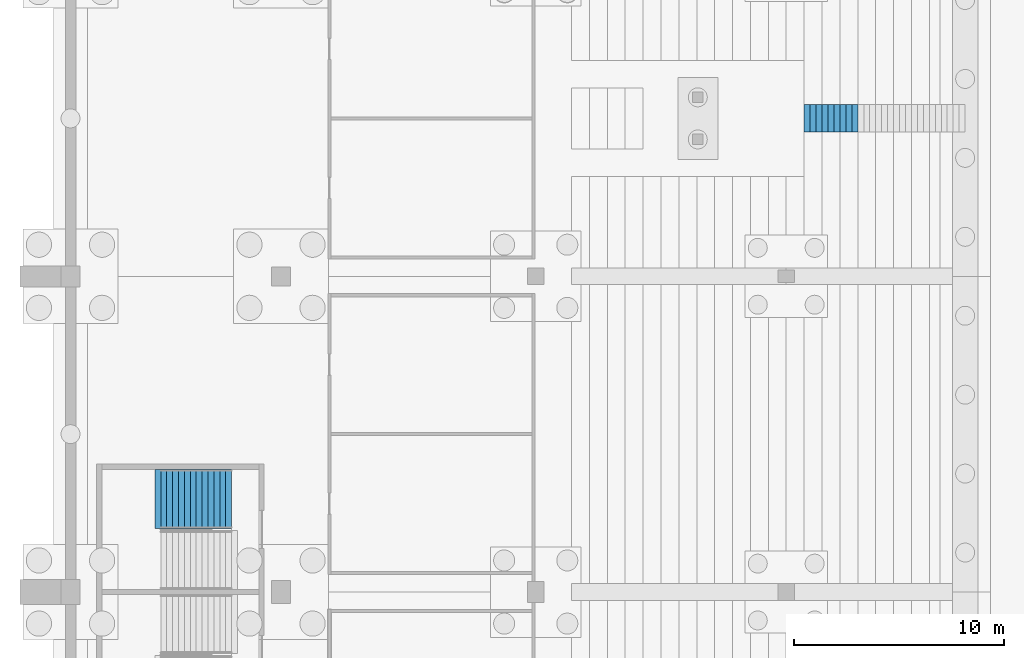
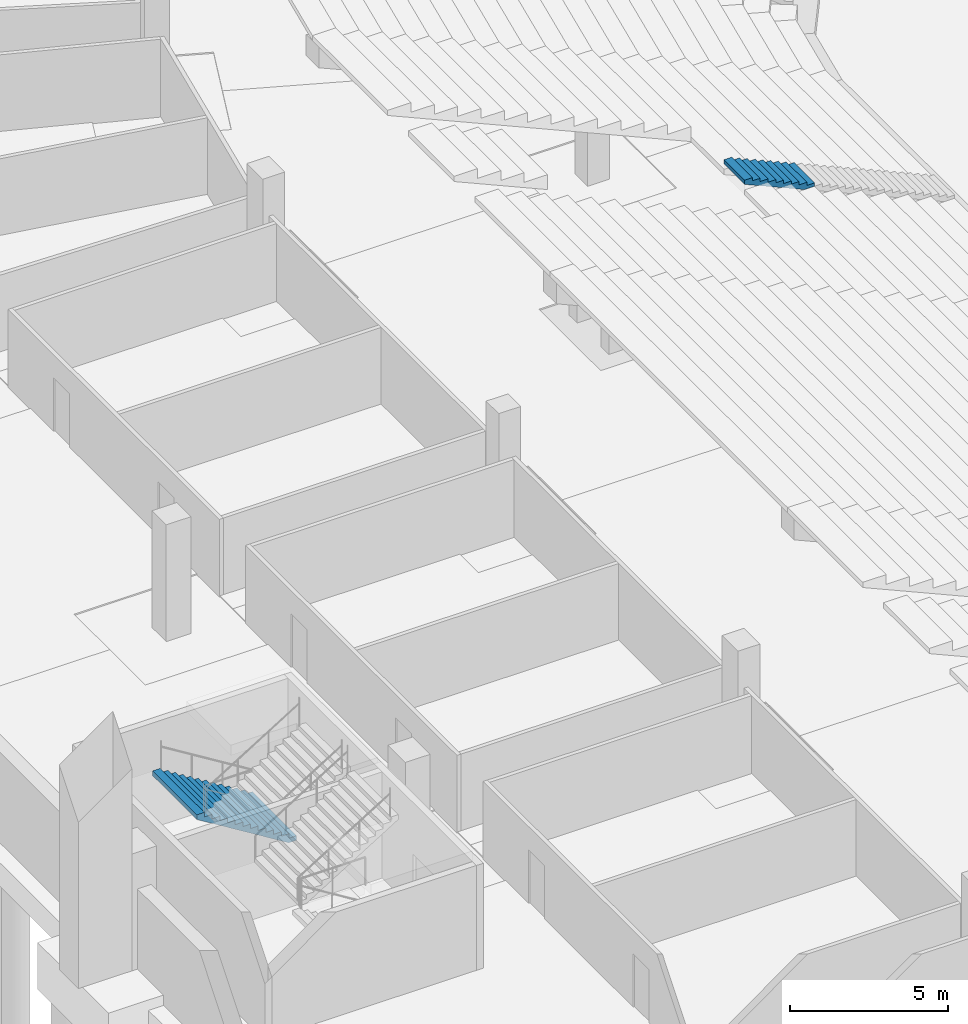
# One storey, part 93 of 115: 2 stair flights, 2 elements without a shape of their own.
"""IFC4 building model written with IfcOpenShell, lengths in metres."""

from ifc_helpers import new_model, si_unit, direction, frame, origin, place, context, subcontext, project, spatial, faceted_brep, material, type_object, element, aggregate, save


model = new_model("IFC4")

# Units and contexts
model_context = context("Model", 3, precision=1e-05, world=origin(), true_north=direction((0.0, 1.0)))
body_context = subcontext(model_context, "Body", "Model", "MODEL_VIEW")
ifc_project = project(units=[si_unit("LENGTHUNIT", "METRE"), si_unit("AREAUNIT", "SQUARE_METRE"), si_unit("VOLUMEUNIT", "CUBIC_METRE"), si_unit("PLANEANGLEUNIT", "RADIAN"), si_unit("MASSUNIT", "GRAM", prefix="KILO")], contexts=[model_context])

# Site, building, storey
site_placement = place(None, origin())
site = spatial("IfcSite", under=ifc_project, at=site_placement, CompositionType="ELEMENT")
building_placement = place(site_placement, origin())
building = spatial("IfcBuilding", under=site, at=building_placement, Name="Ogive Plaza Stadium", CompositionType="ELEMENT")
storey_placement = place(building_placement, frame((0.0, 0.0, -4.5)))
storey = spatial("IfcBuildingStorey", under=building, at=storey_placement, Name="B1", CompositionType="ELEMENT", Elevation=-4.5)

# Stair, stair flight
ifc_material_1 = material(Name="Concrete C40/50", Category="concrete")
stair_type_1 = type_object("IfcStairType", Name="Aisle stair", PredefinedType="STRAIGHT_RUN_STAIR", material=ifc_material_1)
stair_1_placement = place(storey_placement, origin())
stair_1 = element("IfcStair", 1, at=stair_1_placement, inside=storey, type_object=stair_type_1, Name="Aisle stair SA27D", PredefinedType="STRAIGHT_RUN_STAIR")
ifc_material_2 = material(Name="Concrete C40/50", Category="concrete")
stair_flight_type_1 = type_object("IfcStairFlightType", Name="Aisle stair flight", PredefinedType="STRAIGHT", material=ifc_material_2)
stair_flight_1_placement = place(storey_placement, frame((-46.60009765625, 45.0, 3.375), z_axis=(0.0, 0.0, 1.0), x_axis=(-1.0, 0.0, 0.0)))
stair_flight_1 = element("IfcStairFlight", 2, at=stair_flight_1_placement, type_object=stair_flight_type_1, Name="SA27D flight 2", NumberOfRisers=9, NumberOfTreads=8, PredefinedType="STRAIGHT", RiserHeight=0.125, TreadLength=0.283333333, context=body_context, shape_type="Brep", body=[
    faceted_brep([(0.371337890625, -0.64990234375, 0.0), (2.550048828125, -0.64990234375, 0.961181640625), (2.550048828125, -0.64990234375, 1.125), (2.2666015625, -0.64990234375, 1.125), (2.2666015625, -0.64990234375, 1.0), (1.9833984375, -0.64990234375, 1.0), (1.9833984375, -0.64990234375, 0.875), (1.699951171875, -0.64990234375, 0.875), (1.699951171875, -0.64990234375, 0.75), (1.416748046875, -0.64990234375, 0.75), (1.416748046875, -0.64990234375, 0.625), (1.13330078125, -0.64990234375, 0.625), (1.13330078125, -0.64990234375, 0.5), (0.85009765625, -0.64990234375, 0.5), (0.85009765625, -0.64990234375, 0.375), (0.566650390625, -0.64990234375, 0.375), (0.566650390625, -0.64990234375, 0.25), (0.283447265625, -0.64990234375, 0.25), (0.283447265625, -0.64990234375, 0.125), (0.0, -0.64990234375, 0.125), (0.0, -0.64990234375, 0.0), (0.0, 0.64990234375, 0.0), (0.0, 0.64990234375, 0.125), (0.283447265625, 0.64990234375, 0.125), (0.283447265625, 0.64990234375, 0.25), (0.566650390625, 0.64990234375, 0.25), (0.566650390625, 0.64990234375, 0.375), (0.85009765625, 0.64990234375, 0.375), (0.85009765625, 0.64990234375, 0.5), (1.13330078125, 0.64990234375, 0.5), (1.13330078125, 0.64990234375, 0.625), (1.416748046875, 0.64990234375, 0.625), (1.416748046875, 0.64990234375, 0.75), (1.699951171875, 0.64990234375, 0.75), (1.699951171875, 0.64990234375, 0.875), (1.9833984375, 0.64990234375, 0.875), (1.9833984375, 0.64990234375, 1.0), (2.2666015625, 0.64990234375, 1.0), (2.2666015625, 0.64990234375, 1.125), (2.550048828125, 0.64990234375, 1.125), (2.550048828125, 0.64990234375, 0.961181640625), (0.371337890625, 0.64990234375, 0.0), (0.371337890625, -0.324951171875, 0.0), (2.550048828125, -0.324951171875, 0.961181640625), (0.371337890625, 0.0, 0.0), (2.550048828125, 0.0, 0.961181640625), (0.371337890625, 0.324951171875, 0.0), (2.550048828125, 0.324951171875, 0.961181640625), (2.550048828125, -0.324951171875, 1.125), (2.550048828125, 0.0, 1.125), (2.550048828125, 0.324951171875, 1.125), (2.2666015625, -0.324951171875, 1.125), (2.2666015625, 0.0, 1.125), (2.2666015625, 0.324951171875, 1.125), (2.2666015625, -0.324951171875, 1.0), (2.2666015625, 0.0, 1.0), (2.2666015625, 0.324951171875, 1.0), (1.9833984375, -0.324951171875, 1.0), (1.9833984375, 0.0, 1.0), (1.9833984375, 0.324951171875, 1.0), (1.9833984375, -0.324951171875, 0.875), (1.9833984375, 0.0, 0.875), (1.9833984375, 0.324951171875, 0.875), (1.699951171875, -0.324951171875, 0.875), (1.699951171875, 0.0, 0.875), (1.699951171875, 0.324951171875, 0.875), (1.699951171875, -0.324951171875, 0.75), (1.699951171875, 0.0, 0.75), (1.699951171875, 0.324951171875, 0.75), (1.416748046875, -0.324951171875, 0.75), (1.416748046875, 0.0, 0.75), (1.416748046875, 0.324951171875, 0.75), (1.416748046875, -0.324951171875, 0.625), (1.416748046875, 0.0, 0.625), (1.416748046875, 0.324951171875, 0.625), (1.13330078125, -0.324951171875, 0.625), (1.13330078125, 0.0, 0.625), (1.13330078125, 0.324951171875, 0.625), (1.13330078125, -0.324951171875, 0.5), (1.13330078125, 0.0, 0.5), (1.13330078125, 0.324951171875, 0.5), (0.85009765625, -0.324951171875, 0.5), (0.85009765625, 0.0, 0.5), (0.85009765625, 0.324951171875, 0.5), (0.85009765625, -0.324951171875, 0.375), (0.85009765625, 0.0, 0.375), (0.85009765625, 0.324951171875, 0.375), (0.566650390625, -0.324951171875, 0.375), (0.566650390625, 0.0, 0.375), (0.566650390625, 0.324951171875, 0.375), (0.566650390625, -0.324951171875, 0.25), (0.566650390625, 0.0, 0.25), (0.566650390625, 0.324951171875, 0.25), (0.283447265625, -0.324951171875, 0.25), (0.283447265625, 0.0, 0.25), (0.283447265625, 0.324951171875, 0.25), (0.283447265625, -0.324951171875, 0.125), (0.283447265625, 0.0, 0.125), (0.283447265625, 0.324951171875, 0.125), (0.0, -0.324951171875, 0.125), (0.0, 0.0, 0.125), (0.0, 0.324951171875, 0.125), (0.0, -0.324951171875, 0.0), (0.0, 0.0, 0.0), (0.0, 0.324951171875, 0.0)], [[[0, 1, 2, 3, 4, 5, 6, 7, 8, 9, 10, 11, 12, 13, 14, 15, 16, 17, 18, 19, 20]], [[21, 22, 23, 24, 25, 26, 27, 28, 29, 30, 31, 32, 33, 34, 35, 36, 37, 38, 39, 40, 41]], [[0, 42, 43, 1]], [[42, 44, 45, 43]], [[44, 46, 47, 45]], [[46, 41, 40, 47]], [[1, 43, 48, 2]], [[43, 45, 49, 48]], [[45, 47, 50, 49]], [[47, 40, 39, 50]], [[2, 48, 51, 3]], [[48, 49, 52, 51]], [[49, 50, 53, 52]], [[50, 39, 38, 53]], [[3, 51, 54, 4]], [[51, 52, 55, 54]], [[52, 53, 56, 55]], [[53, 38, 37, 56]], [[4, 54, 57, 5]], [[54, 55, 58, 57]], [[55, 56, 59, 58]], [[56, 37, 36, 59]], [[5, 57, 60, 6]], [[57, 58, 61, 60]], [[58, 59, 62, 61]], [[59, 36, 35, 62]], [[6, 60, 63, 7]], [[60, 61, 64, 63]], [[61, 62, 65, 64]], [[62, 35, 34, 65]], [[7, 63, 66, 8]], [[63, 64, 67, 66]], [[64, 65, 68, 67]], [[65, 34, 33, 68]], [[8, 66, 69, 9]], [[66, 67, 70, 69]], [[67, 68, 71, 70]], [[68, 33, 32, 71]], [[9, 69, 72, 10]], [[69, 70, 73, 72]], [[70, 71, 74, 73]], [[71, 32, 31, 74]], [[10, 72, 75, 11]], [[72, 73, 76, 75]], [[73, 74, 77, 76]], [[74, 31, 30, 77]], [[11, 75, 78, 12]], [[75, 76, 79, 78]], [[76, 77, 80, 79]], [[77, 30, 29, 80]], [[12, 78, 81, 13]], [[78, 79, 82, 81]], [[79, 80, 83, 82]], [[80, 29, 28, 83]], [[13, 81, 84, 14]], [[81, 82, 85, 84]], [[82, 83, 86, 85]], [[83, 28, 27, 86]], [[14, 84, 87, 15]], [[84, 85, 88, 87]], [[85, 86, 89, 88]], [[86, 27, 26, 89]], [[15, 87, 90, 16]], [[87, 88, 91, 90]], [[88, 89, 92, 91]], [[89, 26, 25, 92]], [[16, 90, 93, 17]], [[90, 91, 94, 93]], [[91, 92, 95, 94]], [[92, 25, 24, 95]], [[17, 93, 96, 18]], [[93, 94, 97, 96]], [[94, 95, 98, 97]], [[95, 24, 23, 98]], [[18, 96, 99, 19]], [[96, 97, 100, 99]], [[97, 98, 101, 100]], [[98, 23, 22, 101]], [[19, 99, 102, 20]], [[99, 100, 103, 102]], [[100, 101, 104, 103]], [[101, 22, 21, 104]], [[20, 102, 42, 0]], [[102, 103, 44, 42]], [[103, 104, 46, 44]], [[104, 21, 41, 46]]]),
])
aggregate(stair_1, [stair_flight_1])

ifc_material_3 = material(Name="Concrete C40/50", Category="concrete")
stair_type_2 = type_object("IfcStairType", Name="Exit stair", PredefinedType="STRAIGHT_RUN_STAIR", material=ifc_material_3)
stair_2_placement = place(storey_placement, origin())
stair_2 = element("IfcStair", 3, at=stair_2_placement, inside=storey, type_object=stair_type_2, Name="Exit stair ST26A B1 to L00", PredefinedType="STRAIGHT_RUN_STAIR")
ifc_material_4 = material(Name="Concrete C40/50", Category="concrete")
stair_flight_type_2 = type_object("IfcStairFlightType", Name="Exit stair flight", PredefinedType="STRAIGHT", material=ifc_material_4)
stair_flight_2_placement = place(storey_placement, frame((-76.35009765625, 26.925048828125, 0.0), z_axis=(0.0, 0.0, 1.0), x_axis=(-1.0, 0.0, 0.0)))
stair_flight_2 = element("IfcStairFlight", 4, at=stair_flight_2_placement, type_object=stair_flight_type_2, Name="ST26A flight 1", NumberOfRisers=13, NumberOfTreads=12, PredefinedType="STRAIGHT", RiserHeight=0.173076923, TreadLength=0.28, context=body_context, shape_type="Brep", body=[
    faceted_brep([(0.28515625, -1.39990234375, 0.0), (3.639892578125, -1.39990234375, 2.07373046875), (3.639892578125, -1.39990234375, 2.25), (3.360107421875, -1.39990234375, 2.25), (3.360107421875, -1.39990234375, 2.076904296875), (3.080078125, -1.39990234375, 2.076904296875), (3.080078125, -1.39990234375, 1.90380859375), (2.800048828125, -1.39990234375, 1.90380859375), (2.800048828125, -1.39990234375, 1.730712890625), (2.52001953125, -1.39990234375, 1.730712890625), (2.52001953125, -1.39990234375, 1.5576171875), (2.239990234375, -1.39990234375, 1.5576171875), (2.239990234375, -1.39990234375, 1.384521484375), (1.9599609375, -1.39990234375, 1.384521484375), (1.9599609375, -1.39990234375, 1.21142578125), (1.679931640625, -1.39990234375, 1.21142578125), (1.679931640625, -1.39990234375, 1.03857421875), (1.39990234375, -1.39990234375, 1.03857421875), (1.39990234375, -1.39990234375, 0.865478515625), (1.1201171875, -1.39990234375, 0.865478515625), (1.1201171875, -1.39990234375, 0.6923828125), (0.840087890625, -1.39990234375, 0.6923828125), (0.840087890625, -1.39990234375, 0.519287109375), (0.56005859375, -1.39990234375, 0.519287109375), (0.56005859375, -1.39990234375, 0.34619140625), (0.280029296875, -1.39990234375, 0.34619140625), (0.280029296875, -1.39990234375, 0.173095703125), (0.0, -1.39990234375, 0.173095703125), (0.0, -1.39990234375, 0.0), (0.0, 1.39990234375, 0.0), (0.0, 1.39990234375, 0.173095703125), (0.280029296875, 1.39990234375, 0.173095703125), (0.280029296875, 1.39990234375, 0.34619140625), (0.56005859375, 1.39990234375, 0.34619140625), (0.56005859375, 1.39990234375, 0.519287109375), (0.840087890625, 1.39990234375, 0.519287109375), (0.840087890625, 1.39990234375, 0.6923828125), (1.1201171875, 1.39990234375, 0.6923828125), (1.1201171875, 1.39990234375, 0.865478515625), (1.39990234375, 1.39990234375, 0.865478515625), (1.39990234375, 1.39990234375, 1.03857421875), (1.679931640625, 1.39990234375, 1.03857421875), (1.679931640625, 1.39990234375, 1.21142578125), (1.9599609375, 1.39990234375, 1.21142578125), (1.9599609375, 1.39990234375, 1.384521484375), (2.239990234375, 1.39990234375, 1.384521484375), (2.239990234375, 1.39990234375, 1.5576171875), (2.52001953125, 1.39990234375, 1.5576171875), (2.52001953125, 1.39990234375, 1.730712890625), (2.800048828125, 1.39990234375, 1.730712890625), (2.800048828125, 1.39990234375, 1.90380859375), (3.080078125, 1.39990234375, 1.90380859375), (3.080078125, 1.39990234375, 2.076904296875), (3.360107421875, 1.39990234375, 2.076904296875), (3.360107421875, 1.39990234375, 2.25), (3.639892578125, 1.39990234375, 2.25), (3.639892578125, 1.39990234375, 2.07373046875), (0.28515625, 1.39990234375, 0.0), (0.28515625, -1.0888671875, 0.0), (3.639892578125, -1.0888671875, 2.07373046875), (0.28515625, -0.77783203125, 0.0), (3.639892578125, -0.77783203125, 2.07373046875), (0.28515625, -0.466796875, 0.0), (3.639892578125, -0.466796875, 2.07373046875), (0.28515625, -0.155517578125, 0.0), (3.639892578125, -0.155517578125, 2.07373046875), (0.28515625, 0.155517578125, 0.0), (3.639892578125, 0.155517578125, 2.07373046875), (0.28515625, 0.466796875, 0.0), (3.639892578125, 0.466796875, 2.07373046875), (0.28515625, 0.77783203125, 0.0), (3.639892578125, 0.77783203125, 2.07373046875), (0.28515625, 1.0888671875, 0.0), (3.639892578125, 1.0888671875, 2.07373046875), (3.639892578125, -1.0888671875, 2.25), (3.639892578125, -0.77783203125, 2.25), (3.639892578125, -0.466796875, 2.25), (3.639892578125, -0.155517578125, 2.25), (3.639892578125, 0.155517578125, 2.25), (3.639892578125, 0.466796875, 2.25), (3.639892578125, 0.77783203125, 2.25), (3.639892578125, 1.0888671875, 2.25), (3.360107421875, -1.0888671875, 2.25), (3.360107421875, -0.77783203125, 2.25), (3.360107421875, -0.466796875, 2.25), (3.360107421875, -0.155517578125, 2.25), (3.360107421875, 0.155517578125, 2.25), (3.360107421875, 0.466796875, 2.25), (3.360107421875, 0.77783203125, 2.25), (3.360107421875, 1.0888671875, 2.25), (3.360107421875, -1.0888671875, 2.076904296875), (3.360107421875, -0.77783203125, 2.076904296875), (3.360107421875, -0.466796875, 2.076904296875), (3.360107421875, -0.155517578125, 2.076904296875), (3.360107421875, 0.155517578125, 2.076904296875), (3.360107421875, 0.466796875, 2.076904296875), (3.360107421875, 0.77783203125, 2.076904296875), (3.360107421875, 1.0888671875, 2.076904296875), (3.080078125, -1.0888671875, 2.076904296875), (3.080078125, -0.77783203125, 2.076904296875), (3.080078125, -0.466796875, 2.076904296875), (3.080078125, -0.155517578125, 2.076904296875), (3.080078125, 0.155517578125, 2.076904296875), (3.080078125, 0.466796875, 2.076904296875), (3.080078125, 0.77783203125, 2.076904296875), (3.080078125, 1.0888671875, 2.076904296875), (3.080078125, -1.0888671875, 1.90380859375), (3.080078125, -0.77783203125, 1.90380859375), (3.080078125, -0.466796875, 1.90380859375), (3.080078125, -0.155517578125, 1.90380859375), (3.080078125, 0.155517578125, 1.90380859375), (3.080078125, 0.466796875, 1.90380859375), (3.080078125, 0.77783203125, 1.90380859375), (3.080078125, 1.0888671875, 1.90380859375), (2.800048828125, -1.0888671875, 1.90380859375), (2.800048828125, -0.77783203125, 1.90380859375), (2.800048828125, -0.466796875, 1.90380859375), (2.800048828125, -0.155517578125, 1.90380859375), (2.800048828125, 0.155517578125, 1.90380859375), (2.800048828125, 0.466796875, 1.90380859375), (2.800048828125, 0.77783203125, 1.90380859375), (2.800048828125, 1.0888671875, 1.90380859375), (2.800048828125, -1.0888671875, 1.730712890625), (2.800048828125, -0.77783203125, 1.730712890625), (2.800048828125, -0.466796875, 1.730712890625), (2.800048828125, -0.155517578125, 1.730712890625), (2.800048828125, 0.155517578125, 1.730712890625), (2.800048828125, 0.466796875, 1.730712890625), (2.800048828125, 0.77783203125, 1.730712890625), (2.800048828125, 1.0888671875, 1.730712890625), (2.52001953125, -1.0888671875, 1.730712890625), (2.52001953125, -0.77783203125, 1.730712890625), (2.52001953125, -0.466796875, 1.730712890625), (2.52001953125, -0.155517578125, 1.730712890625), (2.52001953125, 0.155517578125, 1.730712890625), (2.52001953125, 0.466796875, 1.730712890625), (2.52001953125, 0.77783203125, 1.730712890625), (2.52001953125, 1.0888671875, 1.730712890625), (2.52001953125, -1.0888671875, 1.5576171875), (2.52001953125, -0.77783203125, 1.5576171875), (2.52001953125, -0.466796875, 1.5576171875), (2.52001953125, -0.155517578125, 1.5576171875), (2.52001953125, 0.155517578125, 1.5576171875), (2.52001953125, 0.466796875, 1.5576171875), (2.52001953125, 0.77783203125, 1.5576171875), (2.52001953125, 1.0888671875, 1.5576171875), (2.239990234375, -1.0888671875, 1.5576171875), (2.239990234375, -0.77783203125, 1.5576171875), (2.239990234375, -0.466796875, 1.5576171875), (2.239990234375, -0.155517578125, 1.5576171875), (2.239990234375, 0.155517578125, 1.5576171875), (2.239990234375, 0.466796875, 1.5576171875), (2.239990234375, 0.77783203125, 1.5576171875), (2.239990234375, 1.0888671875, 1.5576171875), (2.239990234375, -1.0888671875, 1.384521484375), (2.239990234375, -0.77783203125, 1.384521484375), (2.239990234375, -0.466796875, 1.384521484375), (2.239990234375, -0.155517578125, 1.384521484375), (2.239990234375, 0.155517578125, 1.384521484375), (2.239990234375, 0.466796875, 1.384521484375), (2.239990234375, 0.77783203125, 1.384521484375), (2.239990234375, 1.0888671875, 1.384521484375), (1.9599609375, -1.0888671875, 1.384521484375), (1.9599609375, -0.77783203125, 1.384521484375), (1.9599609375, -0.466796875, 1.384521484375), (1.9599609375, -0.155517578125, 1.384521484375), (1.9599609375, 0.155517578125, 1.384521484375), (1.9599609375, 0.466796875, 1.384521484375), (1.9599609375, 0.77783203125, 1.384521484375), (1.9599609375, 1.0888671875, 1.384521484375), (1.9599609375, -1.0888671875, 1.21142578125), (1.9599609375, -0.77783203125, 1.21142578125), (1.9599609375, -0.466796875, 1.21142578125), (1.9599609375, -0.155517578125, 1.21142578125), (1.9599609375, 0.155517578125, 1.21142578125), (1.9599609375, 0.466796875, 1.21142578125), (1.9599609375, 0.77783203125, 1.21142578125), (1.9599609375, 1.0888671875, 1.21142578125), (1.679931640625, -1.0888671875, 1.21142578125), (1.679931640625, -0.77783203125, 1.21142578125), (1.679931640625, -0.466796875, 1.21142578125), (1.679931640625, -0.155517578125, 1.21142578125), (1.679931640625, 0.155517578125, 1.21142578125), (1.679931640625, 0.466796875, 1.21142578125), (1.679931640625, 0.77783203125, 1.21142578125), (1.679931640625, 1.0888671875, 1.21142578125), (1.679931640625, -1.0888671875, 1.03857421875), (1.679931640625, -0.77783203125, 1.03857421875), (1.679931640625, -0.466796875, 1.03857421875), (1.679931640625, -0.155517578125, 1.03857421875), (1.679931640625, 0.155517578125, 1.03857421875), (1.679931640625, 0.466796875, 1.03857421875), (1.679931640625, 0.77783203125, 1.03857421875), (1.679931640625, 1.0888671875, 1.03857421875), (1.39990234375, -1.0888671875, 1.03857421875), (1.39990234375, -0.77783203125, 1.03857421875), (1.39990234375, -0.466796875, 1.03857421875), (1.39990234375, -0.155517578125, 1.03857421875), (1.39990234375, 0.155517578125, 1.03857421875), (1.39990234375, 0.466796875, 1.03857421875), (1.39990234375, 0.77783203125, 1.03857421875), (1.39990234375, 1.0888671875, 1.03857421875), (1.39990234375, -1.0888671875, 0.865478515625), (1.39990234375, -0.77783203125, 0.865478515625), (1.39990234375, -0.466796875, 0.865478515625), (1.39990234375, -0.155517578125, 0.865478515625), (1.39990234375, 0.155517578125, 0.865478515625), (1.39990234375, 0.466796875, 0.865478515625), (1.39990234375, 0.77783203125, 0.865478515625), (1.39990234375, 1.0888671875, 0.865478515625), (1.1201171875, -1.0888671875, 0.865478515625), (1.1201171875, -0.77783203125, 0.865478515625), (1.1201171875, -0.466796875, 0.865478515625), (1.1201171875, -0.155517578125, 0.865478515625), (1.1201171875, 0.155517578125, 0.865478515625), (1.1201171875, 0.466796875, 0.865478515625), (1.1201171875, 0.77783203125, 0.865478515625), (1.1201171875, 1.0888671875, 0.865478515625), (1.1201171875, -1.0888671875, 0.6923828125), (1.1201171875, -0.77783203125, 0.6923828125), (1.1201171875, -0.466796875, 0.6923828125), (1.1201171875, -0.155517578125, 0.6923828125), (1.1201171875, 0.155517578125, 0.6923828125), (1.1201171875, 0.466796875, 0.6923828125), (1.1201171875, 0.77783203125, 0.6923828125), (1.1201171875, 1.0888671875, 0.6923828125), (0.840087890625, -1.0888671875, 0.6923828125), (0.840087890625, -0.77783203125, 0.6923828125), (0.840087890625, -0.466796875, 0.6923828125), (0.840087890625, -0.155517578125, 0.6923828125), (0.840087890625, 0.155517578125, 0.6923828125), (0.840087890625, 0.466796875, 0.6923828125), (0.840087890625, 0.77783203125, 0.6923828125), (0.840087890625, 1.0888671875, 0.6923828125), (0.840087890625, -1.0888671875, 0.519287109375), (0.840087890625, -0.77783203125, 0.519287109375), (0.840087890625, -0.466796875, 0.519287109375), (0.840087890625, -0.155517578125, 0.519287109375), (0.840087890625, 0.155517578125, 0.519287109375), (0.840087890625, 0.466796875, 0.519287109375), (0.840087890625, 0.77783203125, 0.519287109375), (0.840087890625, 1.0888671875, 0.519287109375), (0.56005859375, -1.0888671875, 0.519287109375), (0.56005859375, -0.77783203125, 0.519287109375), (0.56005859375, -0.466796875, 0.519287109375), (0.56005859375, -0.155517578125, 0.519287109375), (0.56005859375, 0.155517578125, 0.519287109375), (0.56005859375, 0.466796875, 0.519287109375), (0.56005859375, 0.77783203125, 0.519287109375), (0.56005859375, 1.0888671875, 0.519287109375), (0.56005859375, -1.0888671875, 0.34619140625), (0.56005859375, -0.77783203125, 0.34619140625), (0.56005859375, -0.466796875, 0.34619140625), (0.56005859375, -0.155517578125, 0.34619140625), (0.56005859375, 0.155517578125, 0.34619140625), (0.56005859375, 0.466796875, 0.34619140625), (0.56005859375, 0.77783203125, 0.34619140625), (0.56005859375, 1.0888671875, 0.34619140625), (0.280029296875, -1.0888671875, 0.34619140625), (0.280029296875, -0.77783203125, 0.34619140625), (0.280029296875, -0.466796875, 0.34619140625), (0.280029296875, -0.155517578125, 0.34619140625), (0.280029296875, 0.155517578125, 0.34619140625), (0.280029296875, 0.466796875, 0.34619140625), (0.280029296875, 0.77783203125, 0.34619140625), (0.280029296875, 1.0888671875, 0.34619140625), (0.280029296875, -1.0888671875, 0.173095703125), (0.280029296875, -0.77783203125, 0.173095703125), (0.280029296875, -0.466796875, 0.173095703125), (0.280029296875, -0.155517578125, 0.173095703125), (0.280029296875, 0.155517578125, 0.173095703125), (0.280029296875, 0.466796875, 0.173095703125), (0.280029296875, 0.77783203125, 0.173095703125), (0.280029296875, 1.0888671875, 0.173095703125), (0.0, -1.0888671875, 0.173095703125), (0.0, -0.77783203125, 0.173095703125), (0.0, -0.466796875, 0.173095703125), (0.0, -0.155517578125, 0.173095703125), (0.0, 0.155517578125, 0.173095703125), (0.0, 0.466796875, 0.173095703125), (0.0, 0.77783203125, 0.173095703125), (0.0, 1.0888671875, 0.173095703125), (0.0, -1.0888671875, 0.0), (0.0, -0.77783203125, 0.0), (0.0, -0.466796875, 0.0), (0.0, -0.155517578125, 0.0), (0.0, 0.155517578125, 0.0), (0.0, 0.466796875, 0.0), (0.0, 0.77783203125, 0.0), (0.0, 1.0888671875, 0.0)], [[[0, 1, 2, 3, 4, 5, 6, 7, 8, 9, 10, 11, 12, 13, 14, 15, 16, 17, 18, 19, 20, 21, 22, 23, 24, 25, 26, 27, 28]], [[29, 30, 31, 32, 33, 34, 35, 36, 37, 38, 39, 40, 41, 42, 43, 44, 45, 46, 47, 48, 49, 50, 51, 52, 53, 54, 55, 56, 57]], [[0, 58, 59, 1]], [[58, 60, 61, 59]], [[60, 62, 63, 61]], [[62, 64, 65, 63]], [[64, 66, 67, 65]], [[66, 68, 69, 67]], [[68, 70, 71, 69]], [[70, 72, 73, 71]], [[72, 57, 56, 73]], [[1, 59, 74, 2]], [[59, 61, 75, 74]], [[61, 63, 76, 75]], [[63, 65, 77, 76]], [[65, 67, 78, 77]], [[67, 69, 79, 78]], [[69, 71, 80, 79]], [[71, 73, 81, 80]], [[73, 56, 55, 81]], [[2, 74, 82, 3]], [[74, 75, 83, 82]], [[75, 76, 84, 83]], [[76, 77, 85, 84]], [[77, 78, 86, 85]], [[78, 79, 87, 86]], [[79, 80, 88, 87]], [[80, 81, 89, 88]], [[81, 55, 54, 89]], [[3, 82, 90, 4]], [[82, 83, 91, 90]], [[83, 84, 92, 91]], [[84, 85, 93, 92]], [[85, 86, 94, 93]], [[86, 87, 95, 94]], [[87, 88, 96, 95]], [[88, 89, 97, 96]], [[89, 54, 53, 97]], [[4, 90, 98, 5]], [[90, 91, 99, 98]], [[91, 92, 100, 99]], [[92, 93, 101, 100]], [[93, 94, 102, 101]], [[94, 95, 103, 102]], [[95, 96, 104, 103]], [[96, 97, 105, 104]], [[97, 53, 52, 105]], [[5, 98, 106, 6]], [[98, 99, 107, 106]], [[99, 100, 108, 107]], [[100, 101, 109, 108]], [[101, 102, 110, 109]], [[102, 103, 111, 110]], [[103, 104, 112, 111]], [[104, 105, 113, 112]], [[105, 52, 51, 113]], [[6, 106, 114, 7]], [[106, 107, 115, 114]], [[107, 108, 116, 115]], [[108, 109, 117, 116]], [[109, 110, 118, 117]], [[110, 111, 119, 118]], [[111, 112, 120, 119]], [[112, 113, 121, 120]], [[113, 51, 50, 121]], [[7, 114, 122, 8]], [[114, 115, 123, 122]], [[115, 116, 124, 123]], [[116, 117, 125, 124]], [[117, 118, 126, 125]], [[118, 119, 127, 126]], [[119, 120, 128, 127]], [[120, 121, 129, 128]], [[121, 50, 49, 129]], [[8, 122, 130, 9]], [[122, 123, 131, 130]], [[123, 124, 132, 131]], [[124, 125, 133, 132]], [[125, 126, 134, 133]], [[126, 127, 135, 134]], [[127, 128, 136, 135]], [[128, 129, 137, 136]], [[129, 49, 48, 137]], [[9, 130, 138, 10]], [[130, 131, 139, 138]], [[131, 132, 140, 139]], [[132, 133, 141, 140]], [[133, 134, 142, 141]], [[134, 135, 143, 142]], [[135, 136, 144, 143]], [[136, 137, 145, 144]], [[137, 48, 47, 145]], [[10, 138, 146, 11]], [[138, 139, 147, 146]], [[139, 140, 148, 147]], [[140, 141, 149, 148]], [[141, 142, 150, 149]], [[142, 143, 151, 150]], [[143, 144, 152, 151]], [[144, 145, 153, 152]], [[145, 47, 46, 153]], [[11, 146, 154, 12]], [[146, 147, 155, 154]], [[147, 148, 156, 155]], [[148, 149, 157, 156]], [[149, 150, 158, 157]], [[150, 151, 159, 158]], [[151, 152, 160, 159]], [[152, 153, 161, 160]], [[153, 46, 45, 161]], [[12, 154, 162, 13]], [[154, 155, 163, 162]], [[155, 156, 164, 163]], [[156, 157, 165, 164]], [[157, 158, 166, 165]], [[158, 159, 167, 166]], [[159, 160, 168, 167]], [[160, 161, 169, 168]], [[161, 45, 44, 169]], [[13, 162, 170, 14]], [[162, 163, 171, 170]], [[163, 164, 172, 171]], [[164, 165, 173, 172]], [[165, 166, 174, 173]], [[166, 167, 175, 174]], [[167, 168, 176, 175]], [[168, 169, 177, 176]], [[169, 44, 43, 177]], [[14, 170, 178, 15]], [[170, 171, 179, 178]], [[171, 172, 180, 179]], [[172, 173, 181, 180]], [[173, 174, 182, 181]], [[174, 175, 183, 182]], [[175, 176, 184, 183]], [[176, 177, 185, 184]], [[177, 43, 42, 185]], [[15, 178, 186, 16]], [[178, 179, 187, 186]], [[179, 180, 188, 187]], [[180, 181, 189, 188]], [[181, 182, 190, 189]], [[182, 183, 191, 190]], [[183, 184, 192, 191]], [[184, 185, 193, 192]], [[185, 42, 41, 193]], [[16, 186, 194, 17]], [[186, 187, 195, 194]], [[187, 188, 196, 195]], [[188, 189, 197, 196]], [[189, 190, 198, 197]], [[190, 191, 199, 198]], [[191, 192, 200, 199]], [[192, 193, 201, 200]], [[193, 41, 40, 201]], [[17, 194, 202, 18]], [[194, 195, 203, 202]], [[195, 196, 204, 203]], [[196, 197, 205, 204]], [[197, 198, 206, 205]], [[198, 199, 207, 206]], [[199, 200, 208, 207]], [[200, 201, 209, 208]], [[201, 40, 39, 209]], [[18, 202, 210, 19]], [[202, 203, 211, 210]], [[203, 204, 212, 211]], [[204, 205, 213, 212]], [[205, 206, 214, 213]], [[206, 207, 215, 214]], [[207, 208, 216, 215]], [[208, 209, 217, 216]], [[209, 39, 38, 217]], [[19, 210, 218, 20]], [[210, 211, 219, 218]], [[211, 212, 220, 219]], [[212, 213, 221, 220]], [[213, 214, 222, 221]], [[214, 215, 223, 222]], [[215, 216, 224, 223]], [[216, 217, 225, 224]], [[217, 38, 37, 225]], [[20, 218, 226, 21]], [[218, 219, 227, 226]], [[219, 220, 228, 227]], [[220, 221, 229, 228]], [[221, 222, 230, 229]], [[222, 223, 231, 230]], [[223, 224, 232, 231]], [[224, 225, 233, 232]], [[225, 37, 36, 233]], [[21, 226, 234, 22]], [[226, 227, 235, 234]], [[227, 228, 236, 235]], [[228, 229, 237, 236]], [[229, 230, 238, 237]], [[230, 231, 239, 238]], [[231, 232, 240, 239]], [[232, 233, 241, 240]], [[233, 36, 35, 241]], [[22, 234, 242, 23]], [[234, 235, 243, 242]], [[235, 236, 244, 243]], [[236, 237, 245, 244]], [[237, 238, 246, 245]], [[238, 239, 247, 246]], [[239, 240, 248, 247]], [[240, 241, 249, 248]], [[241, 35, 34, 249]], [[23, 242, 250, 24]], [[242, 243, 251, 250]], [[243, 244, 252, 251]], [[244, 245, 253, 252]], [[245, 246, 254, 253]], [[246, 247, 255, 254]], [[247, 248, 256, 255]], [[248, 249, 257, 256]], [[249, 34, 33, 257]], [[24, 250, 258, 25]], [[250, 251, 259, 258]], [[251, 252, 260, 259]], [[252, 253, 261, 260]], [[253, 254, 262, 261]], [[254, 255, 263, 262]], [[255, 256, 264, 263]], [[256, 257, 265, 264]], [[257, 33, 32, 265]], [[25, 258, 266, 26]], [[258, 259, 267, 266]], [[259, 260, 268, 267]], [[260, 261, 269, 268]], [[261, 262, 270, 269]], [[262, 263, 271, 270]], [[263, 264, 272, 271]], [[264, 265, 273, 272]], [[265, 32, 31, 273]], [[26, 266, 274, 27]], [[266, 267, 275, 274]], [[267, 268, 276, 275]], [[268, 269, 277, 276]], [[269, 270, 278, 277]], [[270, 271, 279, 278]], [[271, 272, 280, 279]], [[272, 273, 281, 280]], [[273, 31, 30, 281]], [[27, 274, 282, 28]], [[274, 275, 283, 282]], [[275, 276, 284, 283]], [[276, 277, 285, 284]], [[277, 278, 286, 285]], [[278, 279, 287, 286]], [[279, 280, 288, 287]], [[280, 281, 289, 288]], [[281, 30, 29, 289]], [[28, 282, 58, 0]], [[282, 283, 60, 58]], [[283, 284, 62, 60]], [[284, 285, 64, 62]], [[285, 286, 66, 64]], [[286, 287, 68, 66]], [[287, 288, 70, 68]], [[288, 289, 72, 70]], [[289, 29, 57, 72]]]),
])
aggregate(stair_2, [stair_flight_2])

save(model, "model.ifc")
